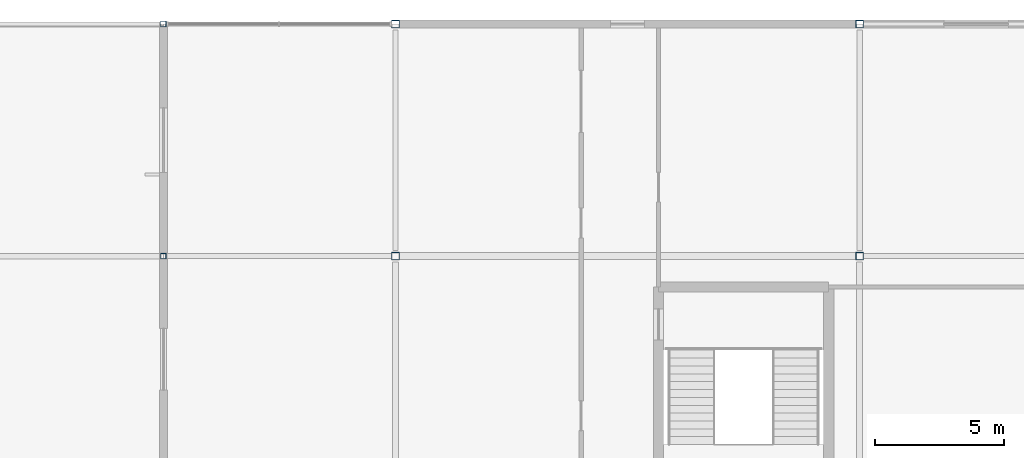
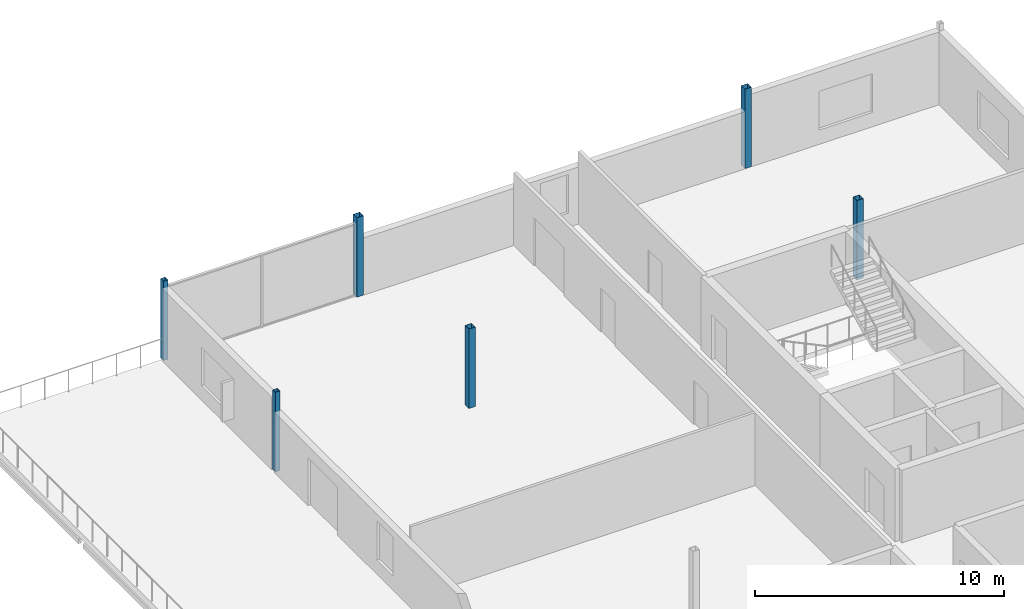
# One storey, part 17 of 55: 6 columns.
"""IFC4 building model written with IfcOpenShell, lengths in metres."""

from ifc_helpers import new_model, si_unit, direction, frame, origin, origin_2d, place, context, subcontext, project, spatial, hollow_rectangle, extrude, material, material_profile, profile_set, type_object, element, save


model = new_model("IFC4")

# Units and contexts
model_context = context("Model", 3, precision=1e-05, world=origin(), true_north=direction((0.0, 1.0)))
body_context = subcontext(model_context, "Body", "Model", "MODEL_VIEW")
ifc_project = project(units=[si_unit("LENGTHUNIT", "METRE"), si_unit("AREAUNIT", "SQUARE_METRE"), si_unit("VOLUMEUNIT", "CUBIC_METRE"), si_unit("PLANEANGLEUNIT", "RADIAN"), si_unit("MASSUNIT", "GRAM", prefix="KILO")], contexts=[model_context])

# Site, building, storey
site_placement = place(None, origin())
site = spatial("IfcSite", under=ifc_project, at=site_placement, CompositionType="ELEMENT")
building_placement = place(site_placement, origin())
building = spatial("IfcBuilding", under=site, at=building_placement, Name="Kisiwana Market Hall", CompositionType="ELEMENT")
storey_placement = place(building_placement, frame((0.0, 0.0, 37.800048828125)))
storey = spatial("IfcBuildingStorey", under=building, at=storey_placement, Name="L08", CompositionType="ELEMENT", Elevation=37.800048828125)

# Columns
ifc_material_1 = material(Name="Steel S355", Category="steel")
ifc_material_profile_1 = material_profile(ifc_material_1, hollow_rectangle(XDim=0.219970703125, YDim=0.219970703125, WallThickness=0.010009765625, at=origin_2d()), Name="SHS 220x220x10")
ifc_profile_set_1 = profile_set([ifc_material_profile_1], Name="Steel S355")
column_type_1 = type_object("IfcColumnType", Name="COL-STL-SHS220", PredefinedType="COLUMN", material=ifc_profile_set_1)
for number, where, z_axis, x_axis, name in (
    (1, (162.0, 102.0, 0.0), (0.0, 0.0, 1.0), (1.0, 0.0, 0.0), "Column N/19 (L08) C-1184"),
    (2, (162.0, 111.0, 0.0), (0.0, 0.0, 1.0), (1.0, 0.0, 0.0), "Column P/19 (L08) C-1185"),
):
    element("IfcColumn", number, at=place(storey_placement, frame(where, z_axis=z_axis, x_axis=x_axis)), inside=storey, type_object=column_type_1, Name=name, PredefinedType="COLUMN", context=body_context, shape_type="SweptSolid", body=[
        extrude(hollow_rectangle(XDim=0.219970703125, YDim=0.219970703125, WallThickness=0.010009765625, at=origin_2d()), origin(), (0.0, 0.0, 1.0), 3.89990234375),
    ])
ifc_material_2 = material(Name="Steel S355", Category="steel")
ifc_material_profile_2 = material_profile(ifc_material_2, hollow_rectangle(XDim=0.300048828125, YDim=0.300048828125, WallThickness=0.012451171875, at=origin_2d()), Name="SHS 300x300x12.5")
ifc_profile_set_2 = profile_set([ifc_material_profile_2], Name="Steel S355")
column_type_2 = type_object("IfcColumnType", Name="COL-STL-SHS300", PredefinedType="COLUMN", material=ifc_profile_set_2)
for number, where, z_axis, x_axis, name in (
    (3, (171.0, 102.0, 0.0), (0.0, 0.0, 1.0), (1.0, 0.0, 0.0), "Column N/20 (L08) C-1191"),
    (4, (171.0, 111.0, 0.0), (0.0, 0.0, 1.0), (1.0, 0.0, 0.0), "Column P/20 (L08) C-1192"),
    (5, (189.0, 102.0, 0.0), (0.0, 0.0, 1.0), (1.0, 0.0, 0.0), "Column N/22 (L08) C-1197"),
    (6, (189.0, 111.0, 0.0), (0.0, 0.0, 1.0), (1.0, 0.0, 0.0), "Column P/22 (L08) C-1198"),
):
    element("IfcColumn", number, at=place(storey_placement, frame(where, z_axis=z_axis, x_axis=x_axis)), inside=storey, type_object=column_type_2, Name=name, PredefinedType="COLUMN", context=body_context, shape_type="SweptSolid", body=[
        extrude(hollow_rectangle(XDim=0.300048828125, YDim=0.300048828125, WallThickness=0.012451171875, at=origin_2d()), origin(), (0.0, 0.0, 1.0), 3.89990234375),
    ])

save(model, "model.ifc")
